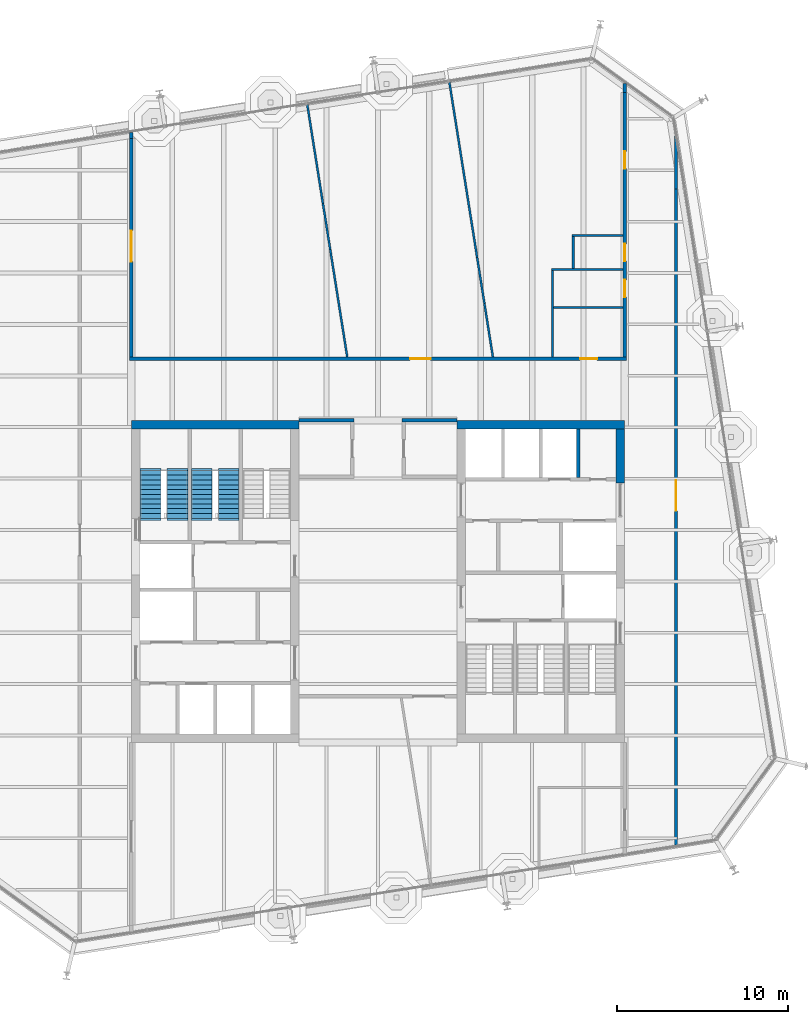
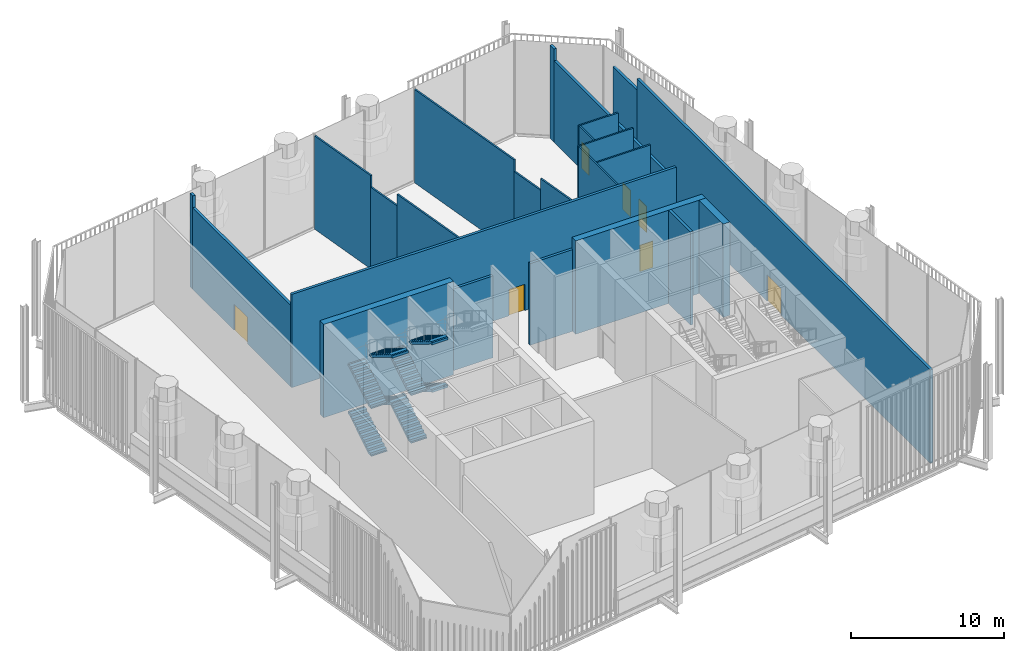
# One storey, part 13 of 17: 24 walls, 8 stair flights, 7 doors, 7 openings, 2 elements without a shape of their own.
"""IFC4 building model written with IfcOpenShell, lengths in metres."""

from ifc_helpers import new_model, si_unit, direction, frame, frame_2d, origin, place, context, subcontext, project, spatial, polyline, rectangle, outline, extrude, material, layer, layer_set, type_object, element, fill, aggregate, save


model = new_model("IFC4")

# Units and contexts
model_context = context("Model", 3, precision=1e-05, world=origin(), true_north=direction((0.0, 1.0)))
body_context = subcontext(model_context, "Body", "Model", "MODEL_VIEW")
ifc_project = project(units=[si_unit("LENGTHUNIT", "METRE"), si_unit("AREAUNIT", "SQUARE_METRE"), si_unit("VOLUMEUNIT", "CUBIC_METRE"), si_unit("PLANEANGLEUNIT", "RADIAN"), si_unit("MASSUNIT", "GRAM", prefix="KILO")], contexts=[model_context])

# Site, building, storey
site_placement = place(None, origin())
site = spatial("IfcSite", under=ifc_project, at=site_placement, CompositionType="ELEMENT")
building_placement = place(site_placement, origin())
building = spatial("IfcBuilding", under=site, at=building_placement, Name="Millrace Tower", CompositionType="ELEMENT")
storey_placement = place(building_placement, frame((0.0, 0.0, 239.800048828125)))
storey = spatial("IfcBuildingStorey", under=building, at=storey_placement, Name="L55", CompositionType="ELEMENT", Elevation=239.800048828125)

# Walls
ifc_material_1 = material(Name="Concrete C60", Category="concrete")
ifc_layer_1 = layer(ifc_material_1, 0.5)
ifc_layer_set_1 = layer_set([ifc_layer_1], Name="Concrete C60")
wall_type_1 = type_object("IfcWallType", Name="Core wall 500 Concrete C60", PredefinedType="SHEAR", material=ifc_layer_set_1)
for number, where, z_axis, x_axis, name in (
    (1, (-14.39990234375, 9.14990234375, 0.0), (0.0, 0.0, 1.0), (1.0, 0.0, 0.0), "Core wall W L55"),
    (2, (14.39990234375, 9.14990234375, 0.0), (0.0, 0.0, 1.0), (-1.0, 0.0, 0.0), "Core wall E L55"),
):
    element("IfcWall", number, at=place(storey_placement, frame(where, z_axis=z_axis, x_axis=x_axis)), inside=storey, type_object=wall_type_1, Name=name, PredefinedType="SHEAR", context=body_context, shape_type="SweptSolid", body=[
        extrude(rectangle(XDim=9.7998046875, YDim=0.5, at=frame_2d((4.89990234375, 0.0))), origin(), (0.0, 0.0, 1.0), 7.43994140625),
    ])
wall_1_placement = place(storey_placement, frame((14.14990234375, 8.89990234375, 0.0), z_axis=(0.0, 0.0, 1.0), x_axis=(0.0, -1.0, 0.0)))
element("IfcWall", 3, at=wall_1_placement, inside=storey, type_object=wall_type_1, Name="Core wall E L55", PredefinedType="SHEAR", context=body_context, shape_type="SweptSolid", body=[
    extrude(rectangle(XDim=3.14990234375, YDim=0.5, at=frame_2d((1.574951171875, 0.0))), origin(), (0.0, 0.0, 1.0), 7.43994140625),
])
ifc_material_2 = material(Name="Masonry partition, fire-rated", Category="masonry")
ifc_layer_2 = layer(ifc_material_2, 0.199951171875)
ifc_layer_set_2 = layer_set([ifc_layer_2], Name="Masonry partition, fire-rated")
wall_type_2 = type_object("IfcWallType", Name="Corridor wall 200", PredefinedType="PARTITIONING", material=ifc_layer_set_2)
for number, where, z_axis, x_axis, name in (
    (4, (-4.60009765625, 9.39990234375, 0.0), (0.0, 0.0, 1.0), (1.0, 0.0, 0.0), "Corridor wall L55"),
    (5, (1.39990234375, 9.39990234375, 0.0), (0.0, 0.0, 1.0), (1.0, 0.0, 0.0), "Corridor wall L55"),
):
    element("IfcWall", number, at=place(storey_placement, frame(where, z_axis=z_axis, x_axis=x_axis)), inside=storey, type_object=wall_type_2, Name=name, PredefinedType="PARTITIONING", context=body_context, shape_type="SweptSolid", body=[
        extrude(rectangle(XDim=3.2001953125, YDim=0.199951171875, at=frame_2d((1.60009765625, 0.0))), origin(), (0.0, 0.0, 1.0), 6.512939453125),
    ])

# Wall, openings, doors
wall_2_placement = place(storey_placement, frame((-14.5, 13.0, 0.0), z_axis=(0.0, 0.0, 1.0), x_axis=(1.0, 0.0, 0.0)))
wall_2 = element("IfcWall", 6, at=wall_2_placement, inside=storey, type_object=wall_type_2, Name="Corridor wall L55", PredefinedType="PARTITIONING", context=body_context, shape_type="SweptSolid", body=[
    extrude(rectangle(XDim=29.0, YDim=0.199951171875, at=frame_2d((14.5, 0.0))), origin(), (0.0, 0.0, 1.0), 7.43994140625),
])
opening_1_placement = place(wall_2_placement, frame((16.3720703125, 0.0, 0.0)))
opening_1 = element("IfcOpeningElement", 7, at=opening_1_placement, cuts=wall_2, Name="Opening 55-P005", PredefinedType="OPENING", context=body_context, shape_type="SweptSolid", body=[
    extrude(rectangle(XDim=1.199951171875, YDim=2.10009765625, at=frame_2d((0.60009765625, 1.050048828125))), frame((0.0, 0.10986328125, 0.0), z_axis=(0.0, -1.0, 0.0), x_axis=(1.0, 0.0, 0.0)), (0.0, 0.0, 1.0), 0.219970703125),
])
opening_2_placement = place(wall_2_placement, frame((26.300048828125, 0.0, 0.0)))
opening_2 = element("IfcOpeningElement", 8, at=opening_2_placement, cuts=wall_2, Name="Opening 55-P007", PredefinedType="OPENING", context=body_context, shape_type="SweptSolid", body=[
    extrude(rectangle(XDim=1.0, YDim=2.10009765625, at=frame_2d((0.5, 1.050048828125))), frame((0.0, 0.10986328125, 0.0), z_axis=(0.0, -1.0, 0.0), x_axis=(1.0, 0.0, 0.0)), (0.0, 0.0, 1.0), 0.219970703125),
])
ifc_material_3 = material(Name="Steel door set, fire-rated", Category="steel")
door_type_1 = type_object("IfcDoorType", Name="Corridor door 1000 x 2100", OperationType="SINGLE_SWING_LEFT", PredefinedType="DOOR", material=ifc_material_3)
door_1_placement = place(opening_2_placement, origin())
door_1 = element("IfcDoor", 9, at=door_1_placement, inside=storey, type_object=door_type_1, Name="Door 55-P007", OperationType="SINGLE_SWING_RIGHT", OverallHeight=2.10009765625, OverallWidth=1.0, PredefinedType="DOOR", context=body_context, shape_type="SweptSolid", body=[
    extrude(rectangle(XDim=1.0, YDim=2.10009765625, at=frame_2d((0.5, 1.050048828125))), frame((0.0, 0.02490234375, 0.0), z_axis=(0.0, -1.0, 0.0), x_axis=(1.0, 0.0, 0.0)), (0.0, 0.0, 1.0), 0.050048828125),
])
fill(opening_2, door_1)
ifc_material_4 = material(Name="Steel door set, fire-rated", Category="steel")
door_type_2 = type_object("IfcDoorType", Name="Corridor door 1200 x 2100", OperationType="SINGLE_SWING_LEFT", PredefinedType="DOOR", material=ifc_material_4)
door_2_placement = place(opening_1_placement, origin())
door_2 = element("IfcDoor", 10, at=door_2_placement, inside=storey, type_object=door_type_2, Name="Door 55-P005", OperationType="SINGLE_SWING_RIGHT", OverallHeight=2.10009765625, OverallWidth=1.199951171875, PredefinedType="DOOR", context=body_context, shape_type="SweptSolid", body=[
    extrude(rectangle(XDim=1.199951171875, YDim=2.10009765625, at=frame_2d((0.60009765625, 1.050048828125))), frame((0.0, 0.02490234375, 0.0), z_axis=(0.0, -1.0, 0.0), x_axis=(1.0, 0.0, 0.0)), (0.0, 0.0, 1.0), 0.050048828125),
])
fill(opening_1, door_2)

# Wall, opening, door
wall_3_placement = place(storey_placement, frame((17.39990234375, -15.3994140625, 0.0), z_axis=(0.0, 0.0, 1.0), x_axis=(0.0, 1.0, 0.0)))
wall_3 = element("IfcWall", 11, at=wall_3_placement, inside=storey, type_object=wall_type_2, Name="Corridor wall L55", PredefinedType="PARTITIONING", context=body_context, shape_type="SweptSolid", body=[
    extrude(rectangle(XDim=38.3046875, YDim=0.199951171875, at=frame_2d((19.15234375, 0.0))), origin(), (0.0, 0.0, 1.0), 7.43994140625),
])
opening_3_placement = place(wall_3_placement, frame((19.511962890625, 0.0, 0.0)))
opening_3 = element("IfcOpeningElement", 12, at=opening_3_placement, cuts=wall_3, Name="Opening 55-P010", PredefinedType="OPENING", context=body_context, shape_type="SweptSolid", body=[
    extrude(rectangle(XDim=1.800048828125, YDim=2.10009765625, at=frame_2d((0.89990234375, 1.050048828125))), frame((0.0, 0.10986328125, 0.0), z_axis=(0.0, -1.0, 0.0), x_axis=(1.0, 0.0, 0.0)), (0.0, 0.0, 1.0), 0.219970703125),
])
ifc_material_5 = material(Name="Steel door set, fire-rated", Category="steel")
door_type_3 = type_object("IfcDoorType", Name="Corridor door 1800 x 2100", OperationType="DOUBLE_DOOR_SINGLE_SWING", PredefinedType="DOOR", material=ifc_material_5)
door_3_placement = place(opening_3_placement, frame((1.800048828125, 0.0, 0.0), z_axis=(0.0, 0.0, 1.0), x_axis=(-1.0, 0.0, 0.0)))
door_3 = element("IfcDoor", 13, at=door_3_placement, inside=storey, type_object=door_type_3, Name="Door 55-P010", OperationType="DOUBLE_DOOR_SINGLE_SWING", OverallHeight=2.10009765625, OverallWidth=1.800048828125, PredefinedType="DOOR", context=body_context, shape_type="SweptSolid", body=[
    extrude(rectangle(XDim=1.800048828125, YDim=2.10009765625, at=frame_2d((0.89990234375, 1.050048828125))), frame((0.0, 0.02490234375, 0.0), z_axis=(0.0, -1.0, 0.0), x_axis=(1.0, 0.0, 0.0)), (0.0, 0.0, 1.0), 0.050048828125),
])
fill(opening_3, door_3)

# Wall
wall_4_placement = place(storey_placement, frame((17.39990234375, 22.9052734375, 0.0), z_axis=(0.0, 0.0, 1.0), x_axis=(0.0, 1.0, 0.0)))
element("IfcWall", 14, at=wall_4_placement, inside=storey, type_object=wall_type_2, Name="Corridor wall L55", PredefinedType="PARTITIONING", context=body_context, shape_type="SweptSolid", body=[
    extrude(rectangle(XDim=3.137451171875, YDim=0.199951171875, at=frame_2d((1.56884765625, 0.0))), origin(), (0.0, 0.0, 1.0), 6.512939453125),
])

# Wall, openings, doors
wall_5_placement = place(storey_placement, frame((14.39990234375, 13.10009765625, 0.0), z_axis=(0.0, 0.0, 1.0), x_axis=(0.0, 1.0, 0.0)))
wall_5 = element("IfcWall", 15, at=wall_5_placement, inside=storey, type_object=wall_type_2, Name="Corridor wall L55", PredefinedType="PARTITIONING", context=body_context, shape_type="SweptSolid", body=[
    extrude(rectangle(XDim=15.440673828125, YDim=0.199951171875, at=frame_2d((7.72021484375, 0.0))), origin(), (0.0, 0.0, 1.0), 6.492431640625),
])
opening_4_placement = place(wall_5_placement, frame((10.998046875, 0.0, 0.0)))
opening_4 = element("IfcOpeningElement", 16, at=opening_4_placement, cuts=wall_5, Name="Opening 55-P006", PredefinedType="OPENING", context=body_context, shape_type="SweptSolid", body=[
    extrude(rectangle(XDim=1.0, YDim=2.10009765625, at=frame_2d((0.5, 1.050048828125))), frame((0.0, 0.10986328125, 0.0), z_axis=(0.0, -1.0, 0.0), x_axis=(1.0, 0.0, 0.0)), (0.0, 0.0, 1.0), 0.219970703125),
])
opening_5_placement = place(wall_5_placement, frame((3.5, 0.0, 0.0)))
opening_5 = element("IfcOpeningElement", 17, at=opening_5_placement, cuts=wall_5, Name="Opening 55-P008", PredefinedType="OPENING", context=body_context, shape_type="SweptSolid", body=[
    extrude(rectangle(XDim=1.0, YDim=2.10009765625, at=frame_2d((0.5, 1.050048828125))), frame((0.0, 0.10986328125, 0.0), z_axis=(0.0, -1.0, 0.0), x_axis=(1.0, 0.0, 0.0)), (0.0, 0.0, 1.0), 0.219970703125),
])
opening_6_placement = place(wall_5_placement, frame((5.60009765625, 0.0, 0.0)))
opening_6 = element("IfcOpeningElement", 18, at=opening_6_placement, cuts=wall_5, Name="Opening 55-P009", PredefinedType="OPENING", context=body_context, shape_type="SweptSolid", body=[
    extrude(rectangle(XDim=1.0, YDim=2.10009765625, at=frame_2d((0.5, 1.050048828125))), frame((0.0, 0.10986328125, 0.0), z_axis=(0.0, -1.0, 0.0), x_axis=(1.0, 0.0, 0.0)), (0.0, 0.0, 1.0), 0.219970703125),
])
door_4_placement = place(opening_4_placement, origin())
door_4 = element("IfcDoor", 19, at=door_4_placement, inside=storey, type_object=door_type_1, Name="Door 55-P006", OperationType="SINGLE_SWING_RIGHT", OverallHeight=2.10009765625, OverallWidth=1.0, PredefinedType="DOOR", context=body_context, shape_type="SweptSolid", body=[
    extrude(rectangle(XDim=1.0, YDim=2.10009765625, at=frame_2d((0.5, 1.050048828125))), frame((0.0, 0.02490234375, 0.0), z_axis=(0.0, -1.0, 0.0), x_axis=(1.0, 0.0, 0.0)), (0.0, 0.0, 1.0), 0.050048828125),
])
fill(opening_4, door_4)
door_5_placement = place(opening_5_placement, origin())
door_5 = element("IfcDoor", 20, at=door_5_placement, inside=storey, type_object=door_type_1, Name="Door 55-P008", OperationType="SINGLE_SWING_LEFT", OverallHeight=2.10009765625, OverallWidth=1.0, PredefinedType="DOOR", context=body_context, shape_type="SweptSolid", body=[
    extrude(rectangle(XDim=1.0, YDim=2.10009765625, at=frame_2d((0.5, 1.050048828125))), frame((0.0, 0.02490234375, 0.0), z_axis=(0.0, -1.0, 0.0), x_axis=(1.0, 0.0, 0.0)), (0.0, 0.0, 1.0), 0.050048828125),
])
fill(opening_5, door_5)
door_6_placement = place(opening_6_placement, origin())
door_6 = element("IfcDoor", 21, at=door_6_placement, inside=storey, type_object=door_type_1, Name="Door 55-P009", OperationType="SINGLE_SWING_LEFT", OverallHeight=2.10009765625, OverallWidth=1.0, PredefinedType="DOOR", context=body_context, shape_type="SweptSolid", body=[
    extrude(rectangle(XDim=1.0, YDim=2.10009765625, at=frame_2d((0.5, 1.050048828125))), frame((0.0, 0.02490234375, 0.0), z_axis=(0.0, -1.0, 0.0), x_axis=(1.0, 0.0, 0.0)), (0.0, 0.0, 1.0), 0.050048828125),
])
fill(opening_6, door_6)

# Wall
wall_6_placement = place(storey_placement, frame((14.39990234375, 28.540771484375, 0.0), z_axis=(0.0, 0.0, 1.0), x_axis=(0.0, 1.0, 0.0)))
element("IfcWall", 22, at=wall_6_placement, inside=storey, type_object=wall_type_2, Name="Corridor wall L55", PredefinedType="PARTITIONING", context=body_context, shape_type="SweptSolid", body=[
    extrude(rectangle(XDim=0.51708984375, YDim=0.199951171875, at=frame_2d((0.258544921875, 0.0))), origin(), (0.0, 0.0, 1.0), 7.43994140625),
])

# Wall, opening, door
wall_7_placement = place(storey_placement, frame((-14.39990234375, 13.10009765625, 0.0), z_axis=(0.0, 0.0, 1.0), x_axis=(0.0, 1.0, 0.0)))
wall_7 = element("IfcWall", 23, at=wall_7_placement, inside=storey, type_object=wall_type_2, Name="Corridor wall L55", PredefinedType="PARTITIONING", context=body_context, shape_type="SweptSolid", body=[
    extrude(rectangle(XDim=12.74853515625, YDim=0.199951171875, at=frame_2d((6.374267578125, 0.0))), origin(), (0.0, 0.0, 1.0), 6.492431640625),
])
opening_7_placement = place(wall_7_placement, frame((5.573974609375, 0.0, 0.0)))
opening_7 = element("IfcOpeningElement", 24, at=opening_7_placement, cuts=wall_7, Name="Opening 55-P004", PredefinedType="OPENING", context=body_context, shape_type="SweptSolid", body=[
    extrude(rectangle(XDim=1.800048828125, YDim=2.10009765625, at=frame_2d((0.89990234375, 1.050048828125))), frame((0.0, 0.10986328125, 0.0), z_axis=(0.0, -1.0, 0.0), x_axis=(1.0, 0.0, 0.0)), (0.0, 0.0, 1.0), 0.219970703125),
])
door_7_placement = place(opening_7_placement, origin())
door_7 = element("IfcDoor", 25, at=door_7_placement, inside=storey, type_object=door_type_3, Name="Door 55-P004", OperationType="DOUBLE_DOOR_SINGLE_SWING", OverallHeight=2.10009765625, OverallWidth=1.800048828125, PredefinedType="DOOR", context=body_context, shape_type="SweptSolid", body=[
    extrude(rectangle(XDim=1.800048828125, YDim=2.10009765625, at=frame_2d((0.89990234375, 1.050048828125))), frame((0.0, 0.02490234375, 0.0), z_axis=(0.0, -1.0, 0.0), x_axis=(1.0, 0.0, 0.0)), (0.0, 0.0, 1.0), 0.050048828125),
])
fill(opening_7, door_7)

# Walls
wall_8_placement = place(storey_placement, frame((-14.39990234375, 25.8486328125, 0.0), z_axis=(0.0, 0.0, 1.0), x_axis=(0.0, 1.0, 0.0)))
element("IfcWall", 26, at=wall_8_placement, inside=storey, type_object=wall_type_2, Name="Corridor wall L55", PredefinedType="PARTITIONING", context=body_context, shape_type="SweptSolid", body=[
    extrude(rectangle(XDim=0.349609375, YDim=0.199951171875, at=frame_2d((0.1748046875, 0.0))), origin(), (0.0, 0.0, 1.0), 7.43994140625),
])
ifc_material_6 = material(Name="Masonry partition, fire-rated", Category="masonry")
ifc_layer_3 = layer(ifc_material_6, 0.199951171875)
ifc_layer_set_3 = layer_set([ifc_layer_3], Name="Masonry partition, fire-rated")
wall_type_3 = type_object("IfcWallType", Name="Lift shaft wall 200", PredefinedType="PARTITIONING", material=ifc_layer_set_3)
wall_9_placement = place(storey_placement, frame((11.699951171875, 8.89990234375, 0.0), z_axis=(0.0, 0.0, 1.0), x_axis=(0.0, -1.0, 0.0)))
element("IfcWall", 27, at=wall_9_placement, inside=storey, type_object=wall_type_3, Name="Lift shaft wall E L55", PredefinedType="PARTITIONING", context=body_context, shape_type="SweptSolid", body=[
    extrude(rectangle(XDim=2.849853515625, YDim=0.199951171875, at=frame_2d((1.4248046875, 0.0))), origin(), (0.0, 0.0, 1.0), 7.43994140625),
])
ifc_material_7 = material(Name="Gypsum board partition")
ifc_layer_4 = layer(ifc_material_7, 0.1201171875)
ifc_layer_set_4 = layer_set([ifc_layer_4], Name="Gypsum board partition")
wall_type_4 = type_object("IfcWallType", Name="Partition wall 120", PredefinedType="PARTITIONING", material=ifc_layer_set_4)
wall_10_placement = place(storey_placement, frame((-4.126953125, 27.8251953125, 0.0), z_axis=(0.0, 0.0, 1.0), x_axis=(0.15640016431, -0.987693772687, 0.0)))
element("IfcWall", 28, at=wall_10_placement, inside=storey, type_object=wall_type_4, Name="Partition wall L55", PredefinedType="PARTITIONING", context=body_context, shape_type="SweptSolid", body=[
    extrude(rectangle(XDim=5.844482421875, YDim=0.1201171875, at=frame_2d((2.92236328125, 0.0))), origin(), (0.0, 0.0, 1.0), 7.43994140625),
])
wall_11_placement = place(storey_placement, frame((-3.212890625, 22.052734375, 0.0), z_axis=(0.0, 0.0, 1.0), x_axis=(0.156367728406, -0.987698908328, 0.0)))
element("IfcWall", 29, at=wall_11_placement, inside=storey, type_object=wall_type_4, Name="Partition wall L55", PredefinedType="PARTITIONING", context=body_context, shape_type="SweptSolid", body=[
    extrude(rectangle(XDim=2.722900390625, YDim=0.1201171875, at=frame_2d((1.361328125, 0.0))), origin(), (0.0, 0.0, 1.0), 6.512939453125),
])
wall_12_placement = place(storey_placement, frame((-2.787109375, 19.36328125, 0.0), z_axis=(0.0, 0.0, 1.0), x_axis=(0.156397426244, -0.987694206252, 0.0)))
element("IfcWall", 30, at=wall_12_placement, inside=storey, type_object=wall_type_4, Name="Partition wall L55", PredefinedType="PARTITIONING", context=body_context, shape_type="SweptSolid", body=[
    extrude(rectangle(XDim=6.342529296875, YDim=0.1201171875, at=frame_2d((3.17138671875, 0.0))), origin(), (0.0, 0.0, 1.0), 7.43994140625),
])
wall_13_placement = place(storey_placement, frame((4.168212890625, 29.13916015625, 0.0), z_axis=(0.0, 0.0, 1.0), x_axis=(0.156414369749, -0.987691523167, 0.0)))
element("IfcWall", 31, at=wall_13_placement, inside=storey, type_object=wall_type_4, Name="Partition wall L55", PredefinedType="PARTITIONING", context=body_context, shape_type="SweptSolid", body=[
    extrude(rectangle(XDim=10.35009765625, YDim=0.1201171875, at=frame_2d((5.175048828125, 0.0))), origin(), (0.0, 0.0, 1.0), 7.43994140625),
])
wall_14_placement = place(storey_placement, frame((5.787109375, 18.91650390625, 0.0), z_axis=(0.0, 0.0, 1.0), x_axis=(0.156381577148, -0.987696715763, 0.0)))
element("IfcWall", 32, at=wall_14_placement, inside=storey, type_object=wall_type_4, Name="Partition wall L55", PredefinedType="PARTITIONING", context=body_context, shape_type="SweptSolid", body=[
    extrude(rectangle(XDim=2.72265625, YDim=0.1201171875, at=frame_2d((1.361328125, 0.0))), origin(), (0.0, 0.0, 1.0), 6.512939453125),
])
wall_15_placement = place(storey_placement, frame((6.212890625, 16.227294921875, 0.0), z_axis=(0.0, 0.0, 1.0), x_axis=(0.156393994615, -0.987694749631, 0.0)))
element("IfcWall", 33, at=wall_15_placement, inside=storey, type_object=wall_type_4, Name="Partition wall L55", PredefinedType="PARTITIONING", context=body_context, shape_type="SweptSolid", body=[
    extrude(rectangle(XDim=3.16748046875, YDim=0.1201171875, at=frame_2d((1.583740234375, 0.0))), origin(), (0.0, 0.0, 1.0), 7.43994140625),
])
wall_16_placement = place(storey_placement, frame((10.260009765625, 16.0, 0.0), z_axis=(0.0, 0.0, 1.0), x_axis=(1.0, 0.0, 0.0)))
element("IfcWall", 34, at=wall_16_placement, inside=storey, type_object=wall_type_4, Name="Partition wall L55", PredefinedType="PARTITIONING", context=body_context, shape_type="SweptSolid", body=[
    extrude(rectangle(XDim=4.0400390625, YDim=0.1201171875, at=frame_2d((2.02001953125, 0.0))), origin(), (0.0, 0.0, 1.0), 7.43994140625),
])
wall_17_placement = place(storey_placement, frame((10.139892578125, 18.199951171875, 0.0), z_axis=(0.0, 0.0, 1.0), x_axis=(1.0, 0.0, 0.0)))
element("IfcWall", 35, at=wall_17_placement, inside=storey, type_object=wall_type_4, Name="Partition wall L55", PredefinedType="PARTITIONING", context=body_context, shape_type="SweptSolid", body=[
    extrude(rectangle(XDim=4.16015625, YDim=0.1201171875, at=frame_2d((2.080078125, 0.0))), origin(), (0.0, 0.0, 1.0), 7.43994140625),
])
wall_18_placement = place(storey_placement, frame((11.340087890625, 20.199951171875, 0.0), z_axis=(0.0, 0.0, 1.0), x_axis=(1.0, 0.0, 0.0)))
element("IfcWall", 36, at=wall_18_placement, inside=storey, type_object=wall_type_4, Name="Partition wall L55", PredefinedType="PARTITIONING", context=body_context, shape_type="SweptSolid", body=[
    extrude(rectangle(XDim=2.9599609375, YDim=0.1201171875, at=frame_2d((1.47998046875, 0.0))), origin(), (0.0, 0.0, 1.0), 7.43994140625),
])
wall_19_placement = place(storey_placement, frame((11.39990234375, 18.260009765625, 0.0), z_axis=(0.0, 0.0, 1.0), x_axis=(0.0, 1.0, 0.0)))
element("IfcWall", 37, at=wall_19_placement, inside=storey, type_object=wall_type_4, Name="Partition wall L55", PredefinedType="PARTITIONING", context=body_context, shape_type="SweptSolid", body=[
    extrude(rectangle(XDim=1.8798828125, YDim=0.1201171875, at=frame_2d((0.93994140625, 0.0))), origin(), (0.0, 0.0, 1.0), 7.43994140625),
])
wall_20_placement = place(storey_placement, frame((10.199951171875, 13.10009765625, 0.0), z_axis=(0.0, 0.0, 1.0), x_axis=(0.0, 1.0, 0.0)))
element("IfcWall", 38, at=wall_20_placement, inside=storey, type_object=wall_type_4, Name="Partition wall L55", PredefinedType="PARTITIONING", context=body_context, shape_type="SweptSolid", body=[
    extrude(rectangle(XDim=5.039794921875, YDim=0.1201171875, at=frame_2d((2.52001953125, 0.0))), origin(), (0.0, 0.0, 1.0), 7.43994140625),
])

# Stair, stair flights
ifc_material_8 = material(Name="Concrete C35", Category="concrete")
stair_type = type_object("IfcStairType", Name="Exit stair", PredefinedType="HALF_TURN_STAIR", material=ifc_material_8)
placement = place(storey_placement, origin())
stair_1 = element("IfcStair", 39, at=placement, inside=storey, type_object=stair_type, Name="Stair 1 W L55", PredefinedType="HALF_TURN_STAIR")
ifc_material_9 = material(Name="Concrete C35", Category="concrete")
stair_flight_type = type_object("IfcStairFlightType", Name="Exit stair flight", PredefinedType="STRAIGHT", material=ifc_material_9)
stair_flight_1_placement = place(storey_placement, frame((-13.2900390625, 3.679931640625, 0.0), z_axis=(0.0, 0.0, 1.0), x_axis=(0.0, 1.0, 0.0)))
stair_flight_1 = element("IfcStairFlight", 40, at=stair_flight_1_placement, type_object=stair_flight_type, Name="ST12 flight 1", NumberOfRisers=11, NumberOfTreads=10, PredefinedType="STRAIGHT", RiserHeight=0.172727273, TreadLength=0.28, context=body_context, shape_type="SweptSolid", body=[
    extrude(outline(polyline([(-0.1201171875, -0.0400390625), (-0.1201171875, 0.0), (0.0, 0.0), (0.0, 0.172607421875), (0.280029296875, 0.172607421875), (0.280029296875, 0.345458984375), (0.56005859375, 0.345458984375), (0.56005859375, 0.51806640625), (0.840087890625, 0.51806640625), (0.840087890625, 0.69091796875), (1.1201171875, 0.69091796875), (1.1201171875, 0.863525390625), (1.39990234375, 0.863525390625), (1.39990234375, 1.036376953125), (1.679931640625, 1.036376953125), (1.679931640625, 1.208984375), (1.9599609375, 1.208984375), (1.9599609375, 1.3818359375), (2.239990234375, 1.3818359375), (2.239990234375, 1.554443359375), (2.52001953125, 1.554443359375), (2.52001953125, 1.727294921875), (2.800048828125, 1.727294921875), (2.800048828125, 1.747314453125), (2.919921875, 1.747314453125), (2.919921875, 1.551025390625), (2.800048828125, 1.551025390625), (0.285400390625, 0.0), (0.285400390625, -0.0400390625), (-0.1201171875, -0.0400390625)])), frame((0.0, 0.60986328125, 0.0), z_axis=(0.0, -1.0, 0.0), x_axis=(1.0, 0.0, 0.0)), (0.0, 0.0, 1.0), 1.219970703125),
])
stair_flight_2_placement = place(storey_placement, frame((-11.7099609375, 6.47998046875, 1.89990234375), z_axis=(0.0, 0.0, 1.0), x_axis=(0.0, -1.0, 0.0)))
stair_flight_2 = element("IfcStairFlight", 41, at=stair_flight_2_placement, type_object=stair_flight_type, Name="ST12 flight 2", NumberOfRisers=11, NumberOfTreads=10, PredefinedType="STRAIGHT", RiserHeight=0.172727273, TreadLength=0.28, context=body_context, shape_type="SweptSolid", body=[
    extrude(outline(polyline([(-0.1201171875, -0.0400390625), (-0.1201171875, 0.0), (0.0, 0.0), (0.0, 0.172607421875), (0.280029296875, 0.172607421875), (0.280029296875, 0.345458984375), (0.56005859375, 0.345458984375), (0.56005859375, 0.51806640625), (0.840087890625, 0.51806640625), (0.840087890625, 0.69091796875), (1.1201171875, 0.69091796875), (1.1201171875, 0.863525390625), (1.39990234375, 0.863525390625), (1.39990234375, 1.036376953125), (1.679931640625, 1.036376953125), (1.679931640625, 1.208984375), (1.9599609375, 1.208984375), (1.9599609375, 1.3818359375), (2.239990234375, 1.3818359375), (2.239990234375, 1.554443359375), (2.52001953125, 1.554443359375), (2.52001953125, 1.727294921875), (2.800048828125, 1.727294921875), (2.800048828125, 1.747314453125), (2.919921875, 1.747314453125), (2.919921875, 1.551025390625), (2.800048828125, 1.551025390625), (0.285400390625, 0.0), (0.285400390625, -0.0400390625), (-0.1201171875, -0.0400390625)])), frame((0.0, 0.60986328125, 0.0), z_axis=(0.0, -1.0, 0.0), x_axis=(1.0, 0.0, 0.0)), (0.0, 0.0, 1.0), 1.219970703125),
])
stair_flight_3_placement = place(storey_placement, frame((-13.2900390625, 3.679931640625, 3.800048828125), z_axis=(0.0, 0.0, 1.0), x_axis=(0.0, 1.0, 0.0)))
stair_flight_3 = element("IfcStairFlight", 42, at=stair_flight_3_placement, type_object=stair_flight_type, Name="ST12 flight 3", NumberOfRisers=11, NumberOfTreads=10, PredefinedType="STRAIGHT", RiserHeight=0.172727273, TreadLength=0.28, context=body_context, shape_type="SweptSolid", body=[
    extrude(outline(polyline([(-0.1201171875, -0.0400390625), (-0.1201171875, 0.0), (0.0, 0.0), (0.0, 0.172607421875), (0.280029296875, 0.172607421875), (0.280029296875, 0.345458984375), (0.56005859375, 0.345458984375), (0.56005859375, 0.51806640625), (0.840087890625, 0.51806640625), (0.840087890625, 0.69091796875), (1.1201171875, 0.69091796875), (1.1201171875, 0.863525390625), (1.39990234375, 0.863525390625), (1.39990234375, 1.036376953125), (1.679931640625, 1.036376953125), (1.679931640625, 1.208984375), (1.9599609375, 1.208984375), (1.9599609375, 1.3818359375), (2.239990234375, 1.3818359375), (2.239990234375, 1.554443359375), (2.52001953125, 1.554443359375), (2.52001953125, 1.727294921875), (2.800048828125, 1.727294921875), (2.800048828125, 1.747314453125), (2.919921875, 1.747314453125), (2.919921875, 1.551025390625), (2.800048828125, 1.551025390625), (0.285400390625, 0.0), (0.285400390625, -0.0400390625), (-0.1201171875, -0.0400390625)])), frame((0.0, 0.60986328125, 0.0), z_axis=(0.0, -1.0, 0.0), x_axis=(1.0, 0.0, 0.0)), (0.0, 0.0, 1.0), 1.219970703125),
])
stair_flight_4_placement = place(storey_placement, frame((-11.7099609375, 6.47998046875, 5.699951171875), z_axis=(0.0, 0.0, 1.0), x_axis=(0.0, -1.0, 0.0)))
stair_flight_4 = element("IfcStairFlight", 43, at=stair_flight_4_placement, type_object=stair_flight_type, Name="ST12 flight 4", NumberOfRisers=11, NumberOfTreads=10, PredefinedType="STRAIGHT", RiserHeight=0.172727273, TreadLength=0.28, context=body_context, shape_type="SweptSolid", body=[
    extrude(outline(polyline([(-0.1201171875, -0.0400390625), (-0.1201171875, 0.0), (0.0, 0.0), (0.0, 0.172607421875), (0.280029296875, 0.172607421875), (0.280029296875, 0.345458984375), (0.56005859375, 0.345458984375), (0.56005859375, 0.51806640625), (0.840087890625, 0.51806640625), (0.840087890625, 0.69091796875), (1.1201171875, 0.69091796875), (1.1201171875, 0.863525390625), (1.39990234375, 0.863525390625), (1.39990234375, 1.036376953125), (1.679931640625, 1.036376953125), (1.679931640625, 1.208984375), (1.9599609375, 1.208984375), (1.9599609375, 1.3818359375), (2.239990234375, 1.3818359375), (2.239990234375, 1.554443359375), (2.52001953125, 1.554443359375), (2.52001953125, 1.727294921875), (2.800048828125, 1.727294921875), (2.800048828125, 1.747314453125), (2.919921875, 1.747314453125), (2.919921875, 1.551025390625), (2.800048828125, 1.551025390625), (0.285400390625, 0.0), (0.285400390625, -0.0400390625), (-0.1201171875, -0.0400390625)])), frame((0.0, 0.60986328125, 0.0), z_axis=(0.0, -1.0, 0.0), x_axis=(1.0, 0.0, 0.0)), (0.0, 0.0, 1.0), 1.219970703125),
])
aggregate(stair_1, [stair_flight_1, stair_flight_2, stair_flight_3, stair_flight_4])

stair_2 = element("IfcStair", 44, at=placement, inside=storey, type_object=stair_type, Name="Stair 2 W L55", PredefinedType="HALF_TURN_STAIR")
stair_flight_5_placement = place(storey_placement, frame((-10.2900390625, 3.679931640625, 0.0), z_axis=(0.0, 0.0, 1.0), x_axis=(0.0, 1.0, 0.0)))
stair_flight_5 = element("IfcStairFlight", 45, at=stair_flight_5_placement, type_object=stair_flight_type, Name="ST12 flight 1", NumberOfRisers=11, NumberOfTreads=10, PredefinedType="STRAIGHT", RiserHeight=0.172727273, TreadLength=0.28, context=body_context, shape_type="SweptSolid", body=[
    extrude(outline(polyline([(-0.1201171875, -0.0400390625), (-0.1201171875, 0.0), (0.0, 0.0), (0.0, 0.172607421875), (0.280029296875, 0.172607421875), (0.280029296875, 0.345458984375), (0.56005859375, 0.345458984375), (0.56005859375, 0.51806640625), (0.840087890625, 0.51806640625), (0.840087890625, 0.69091796875), (1.1201171875, 0.69091796875), (1.1201171875, 0.863525390625), (1.39990234375, 0.863525390625), (1.39990234375, 1.036376953125), (1.679931640625, 1.036376953125), (1.679931640625, 1.208984375), (1.9599609375, 1.208984375), (1.9599609375, 1.3818359375), (2.239990234375, 1.3818359375), (2.239990234375, 1.554443359375), (2.52001953125, 1.554443359375), (2.52001953125, 1.727294921875), (2.800048828125, 1.727294921875), (2.800048828125, 1.747314453125), (2.919921875, 1.747314453125), (2.919921875, 1.551025390625), (2.800048828125, 1.551025390625), (0.285400390625, 0.0), (0.285400390625, -0.0400390625), (-0.1201171875, -0.0400390625)])), frame((0.0, 0.60986328125, 0.0), z_axis=(0.0, -1.0, 0.0), x_axis=(1.0, 0.0, 0.0)), (0.0, 0.0, 1.0), 1.219970703125),
])
stair_flight_6_placement = place(storey_placement, frame((-8.7099609375, 6.47998046875, 1.89990234375), z_axis=(0.0, 0.0, 1.0), x_axis=(0.0, -1.0, 0.0)))
stair_flight_6 = element("IfcStairFlight", 46, at=stair_flight_6_placement, type_object=stair_flight_type, Name="ST12 flight 2", NumberOfRisers=11, NumberOfTreads=10, PredefinedType="STRAIGHT", RiserHeight=0.172727273, TreadLength=0.28, context=body_context, shape_type="SweptSolid", body=[
    extrude(outline(polyline([(-0.1201171875, -0.0400390625), (-0.1201171875, 0.0), (0.0, 0.0), (0.0, 0.172607421875), (0.280029296875, 0.172607421875), (0.280029296875, 0.345458984375), (0.56005859375, 0.345458984375), (0.56005859375, 0.51806640625), (0.840087890625, 0.51806640625), (0.840087890625, 0.69091796875), (1.1201171875, 0.69091796875), (1.1201171875, 0.863525390625), (1.39990234375, 0.863525390625), (1.39990234375, 1.036376953125), (1.679931640625, 1.036376953125), (1.679931640625, 1.208984375), (1.9599609375, 1.208984375), (1.9599609375, 1.3818359375), (2.239990234375, 1.3818359375), (2.239990234375, 1.554443359375), (2.52001953125, 1.554443359375), (2.52001953125, 1.727294921875), (2.800048828125, 1.727294921875), (2.800048828125, 1.747314453125), (2.919921875, 1.747314453125), (2.919921875, 1.551025390625), (2.800048828125, 1.551025390625), (0.285400390625, 0.0), (0.285400390625, -0.0400390625), (-0.1201171875, -0.0400390625)])), frame((0.0, 0.60986328125, 0.0), z_axis=(0.0, -1.0, 0.0), x_axis=(1.0, 0.0, 0.0)), (0.0, 0.0, 1.0), 1.219970703125),
])
stair_flight_7_placement = place(storey_placement, frame((-10.2900390625, 3.679931640625, 3.800048828125), z_axis=(0.0, 0.0, 1.0), x_axis=(0.0, 1.0, 0.0)))
stair_flight_7 = element("IfcStairFlight", 47, at=stair_flight_7_placement, type_object=stair_flight_type, Name="ST12 flight 3", NumberOfRisers=11, NumberOfTreads=10, PredefinedType="STRAIGHT", RiserHeight=0.172727273, TreadLength=0.28, context=body_context, shape_type="SweptSolid", body=[
    extrude(outline(polyline([(-0.1201171875, -0.0400390625), (-0.1201171875, 0.0), (0.0, 0.0), (0.0, 0.172607421875), (0.280029296875, 0.172607421875), (0.280029296875, 0.345458984375), (0.56005859375, 0.345458984375), (0.56005859375, 0.51806640625), (0.840087890625, 0.51806640625), (0.840087890625, 0.69091796875), (1.1201171875, 0.69091796875), (1.1201171875, 0.863525390625), (1.39990234375, 0.863525390625), (1.39990234375, 1.036376953125), (1.679931640625, 1.036376953125), (1.679931640625, 1.208984375), (1.9599609375, 1.208984375), (1.9599609375, 1.3818359375), (2.239990234375, 1.3818359375), (2.239990234375, 1.554443359375), (2.52001953125, 1.554443359375), (2.52001953125, 1.727294921875), (2.800048828125, 1.727294921875), (2.800048828125, 1.747314453125), (2.919921875, 1.747314453125), (2.919921875, 1.551025390625), (2.800048828125, 1.551025390625), (0.285400390625, 0.0), (0.285400390625, -0.0400390625), (-0.1201171875, -0.0400390625)])), frame((0.0, 0.60986328125, 0.0), z_axis=(0.0, -1.0, 0.0), x_axis=(1.0, 0.0, 0.0)), (0.0, 0.0, 1.0), 1.219970703125),
])
stair_flight_8_placement = place(storey_placement, frame((-8.7099609375, 6.47998046875, 5.699951171875), z_axis=(0.0, 0.0, 1.0), x_axis=(0.0, -1.0, 0.0)))
stair_flight_8 = element("IfcStairFlight", 48, at=stair_flight_8_placement, type_object=stair_flight_type, Name="ST12 flight 4", NumberOfRisers=11, NumberOfTreads=10, PredefinedType="STRAIGHT", RiserHeight=0.172727273, TreadLength=0.28, context=body_context, shape_type="SweptSolid", body=[
    extrude(outline(polyline([(-0.1201171875, -0.0400390625), (-0.1201171875, 0.0), (0.0, 0.0), (0.0, 0.172607421875), (0.280029296875, 0.172607421875), (0.280029296875, 0.345458984375), (0.56005859375, 0.345458984375), (0.56005859375, 0.51806640625), (0.840087890625, 0.51806640625), (0.840087890625, 0.69091796875), (1.1201171875, 0.69091796875), (1.1201171875, 0.863525390625), (1.39990234375, 0.863525390625), (1.39990234375, 1.036376953125), (1.679931640625, 1.036376953125), (1.679931640625, 1.208984375), (1.9599609375, 1.208984375), (1.9599609375, 1.3818359375), (2.239990234375, 1.3818359375), (2.239990234375, 1.554443359375), (2.52001953125, 1.554443359375), (2.52001953125, 1.727294921875), (2.800048828125, 1.727294921875), (2.800048828125, 1.747314453125), (2.919921875, 1.747314453125), (2.919921875, 1.551025390625), (2.800048828125, 1.551025390625), (0.285400390625, 0.0), (0.285400390625, -0.0400390625), (-0.1201171875, -0.0400390625)])), frame((0.0, 0.60986328125, 0.0), z_axis=(0.0, -1.0, 0.0), x_axis=(1.0, 0.0, 0.0)), (0.0, 0.0, 1.0), 1.219970703125),
])
aggregate(stair_2, [stair_flight_5, stair_flight_6, stair_flight_7, stair_flight_8])

save(model, "model.ifc")
